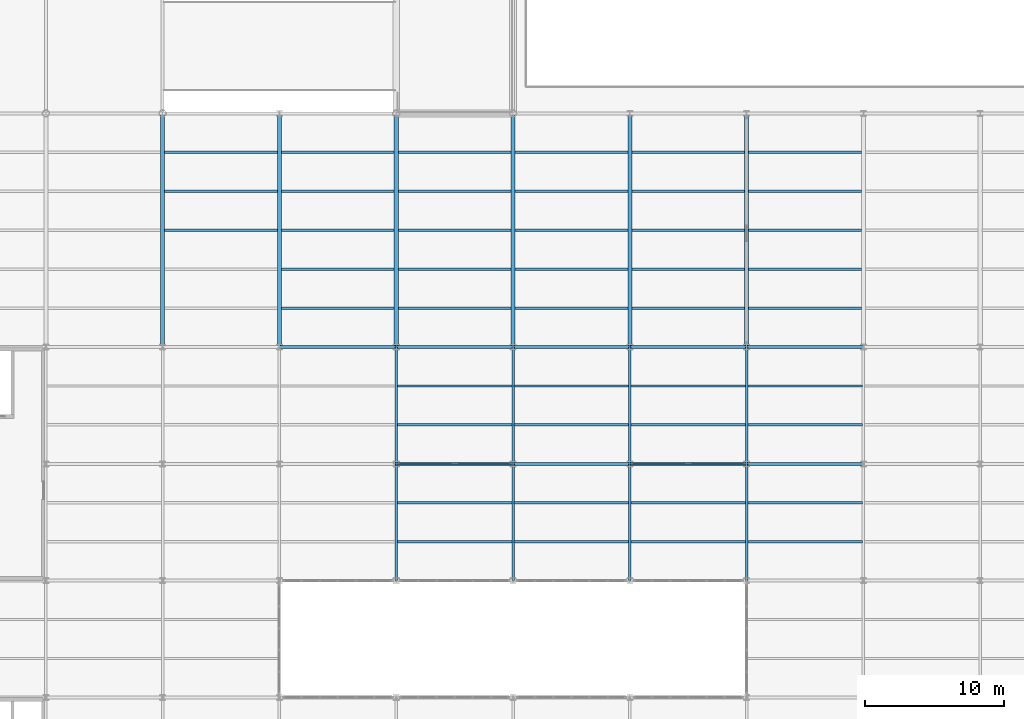
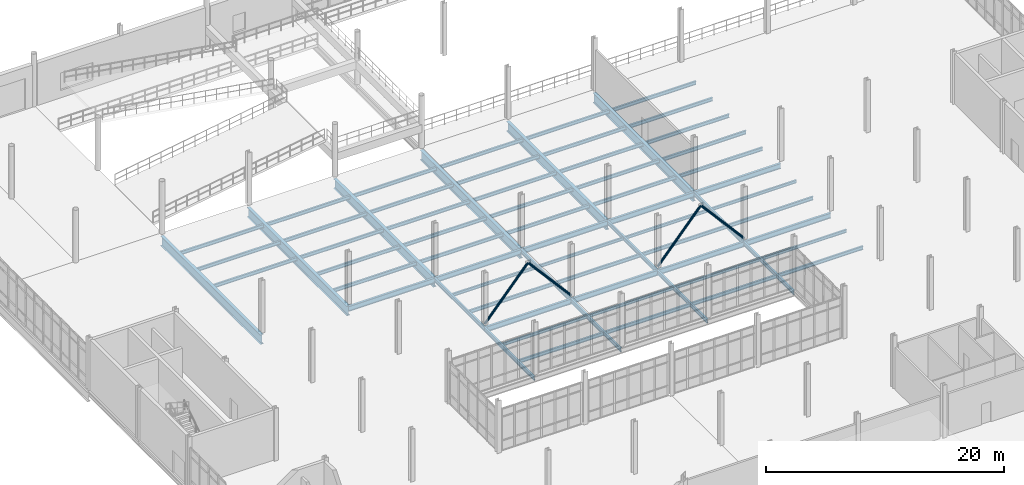
# One storey, part 48 of 111: 67 beams, 4 members.
"""IFC4 building model written with IfcOpenShell, lengths in metres."""

from ifc_helpers import new_model, si_unit, direction, frame, origin, origin_2d, place, context, subcontext, project, spatial, hollow_circle, i_section, extrude, material, material_profile, profile_set, type_object, element, save


model = new_model("IFC4")

# Units and contexts
model_context = context("Model", 3, precision=1e-05, world=origin(), true_north=direction((0.0, 1.0)))
body_context = subcontext(model_context, "Body", "Model", "MODEL_VIEW")
ifc_project = project(units=[si_unit("LENGTHUNIT", "METRE"), si_unit("AREAUNIT", "SQUARE_METRE"), si_unit("VOLUMEUNIT", "CUBIC_METRE"), si_unit("PLANEANGLEUNIT", "RADIAN"), si_unit("MASSUNIT", "GRAM", prefix="KILO"), si_unit("THERMODYNAMICTEMPERATUREUNIT", "KELVIN"), si_unit("POWERUNIT", "WATT")], contexts=[model_context])

# Site, building, storey
site_placement = place(None, origin())
site = spatial("IfcSite", under=ifc_project, at=site_placement, CompositionType="ELEMENT")
building_placement = place(site_placement, origin())
building = spatial("IfcBuilding", under=site, at=building_placement, Name="Tembeka Court Mobility Hub", CompositionType="ELEMENT")
storey_placement = place(building_placement, origin())
storey = spatial("IfcBuildingStorey", under=building, at=storey_placement, Name="L00", CompositionType="ELEMENT", Elevation=0.0)

# Beams
ifc_material = material(Name="Steel S355", Category="steel")
ifc_material_profile_1 = material_profile(ifc_material, i_section(OverallWidth=0.177978515625, OverallDepth=0.406005859375, WebThickness=0.0078125, FlangeThickness=0.0126953125, FilletRadius=0.01025390625, at=origin_2d()), Name="UKB 406x178x60")
ifc_profile_set_1 = profile_set([ifc_material_profile_1], Name="Steel S355")
beam_type_1 = type_object("IfcBeamType", Name="BM-B02", PredefinedType="BEAM", material=ifc_profile_set_1)
for number, where, z_axis, x_axis, name in (
    (1, (33.60009765625, 63.60009765625, -0.48291015625), (0.0, 1.0, 0.0), (-1.0, 0.0, 0.0), "Beam B02 (BM-L00-Y0207)"),
    (2, (33.60009765625, 72.0, -0.48291015625), (0.0, 1.0, 0.0), (-1.0, 0.0, 0.0), "Beam B02 (BM-L00-Y0208)"),
    (3, (42.0, 63.60009765625, -0.48291015625), (0.0, 1.0, 0.0), (-1.0, 0.0, 0.0), "Beam B02 (BM-L00-Y0215)"),
    (4, (42.0, 72.0, -0.48291015625), (0.0, 1.0, 0.0), (-1.0, 0.0, 0.0), "Beam B02 (BM-L00-Y0216)"),
    (5, (50.39990234375, 63.60009765625, -0.48291015625), (0.0, 1.0, 0.0), (-1.0, 0.0, 0.0), "Beam B02 (BM-L00-Y0223)"),
    (6, (50.39990234375, 72.0, -0.48291015625), (0.0, 1.0, 0.0), (-1.0, 0.0, 0.0), "Beam B02 (BM-L00-Y0224)"),
    (7, (58.800048828125, 63.60009765625, -0.48291015625), (0.0, 1.0, 0.0), (-1.0, 0.0, 0.0), "Beam B02 (BM-L00-Y0230)"),
    (8, (58.800048828125, 72.0, -0.48291015625), (0.0, 1.0, 0.0), (-1.0, 0.0, 0.0), "Beam B02 (BM-L00-Y0231)"),
):
    element("IfcBeam", number, at=place(storey_placement, frame(where, z_axis=z_axis, x_axis=x_axis)), inside=storey, type_object=beam_type_1, Name=name, PredefinedType="BEAM", context=body_context, shape_type="SweptSolid", body=[
        extrude(i_section(OverallWidth=0.177978515625, OverallDepth=0.406005859375, WebThickness=0.0078125, FlangeThickness=0.0126953125, FilletRadius=0.01025390625, at=origin_2d()), origin(), (0.0, 0.0, 1.0), 8.39990234375),
    ])
ifc_material_profile_2 = material_profile(ifc_material, i_section(OverallWidth=0.2099609375, OverallDepth=0.537109375, WebThickness=0.0107421875, FlangeThickness=0.017333984375, FilletRadius=0.0126953125, at=origin_2d()), Name="UKB 533x210x101")
ifc_profile_set_2 = profile_set([ifc_material_profile_2], Name="Steel S355")
beam_type_2 = type_object("IfcBeamType", Name="BM-G03", PredefinedType="USERDEFINED", material=ifc_profile_set_2)
for number, where, z_axis, x_axis, name in (
    (9, (33.60009765625, 72.0, -0.548583984375), (1.0, 0.0, 0.0), (0.0, 1.0, 0.0), "Beam G03 (BM-L00-X0110)"),
    (10, (42.0, 72.0, -0.548583984375), (1.0, 0.0, 0.0), (0.0, 1.0, 0.0), "Beam G03 (BM-L00-X0111)"),
):
    element("IfcBeam", number, at=place(storey_placement, frame(where, z_axis=z_axis, x_axis=x_axis)), inside=storey, type_object=beam_type_2, Name=name, ObjectType="GIRDER", PredefinedType="USERDEFINED", context=body_context, shape_type="SweptSolid", body=[
        extrude(i_section(OverallWidth=0.2099609375, OverallDepth=0.537109375, WebThickness=0.0107421875, FlangeThickness=0.017333984375, FilletRadius=0.0126953125, at=origin_2d()), origin(), (0.0, 0.0, 1.0), 8.39990234375),
    ])
beam_1_placement = place(storey_placement, frame((50.39990234375, 72.0, -0.548583984375), z_axis=(1.0, 0.0, 0.0), x_axis=(0.0, 1.0, 0.0)))
element("IfcBeam", 11, at=beam_1_placement, inside=storey, type_object=beam_type_2, Name="Beam G03 (BM-L00-X0112)", ObjectType="GIRDER", PredefinedType="USERDEFINED", context=body_context, shape_type="SweptSolid", body=[
    extrude(i_section(OverallWidth=0.2099609375, OverallDepth=0.537109375, WebThickness=0.0107421875, FlangeThickness=0.017333984375, FilletRadius=0.0126953125, at=origin_2d()), origin(), (0.0, 0.0, 1.0), 8.400146484375),
])
beam_2_placement = place(storey_placement, frame((58.800048828125, 72.0, -0.548583984375), z_axis=(1.0, 0.0, 0.0), x_axis=(0.0, 1.0, 0.0)))
element("IfcBeam", 12, at=beam_2_placement, inside=storey, type_object=beam_type_2, Name="Beam G03 (BM-L00-X0113)", ObjectType="GIRDER", PredefinedType="USERDEFINED", context=body_context, shape_type="SweptSolid", body=[
    extrude(i_section(OverallWidth=0.2099609375, OverallDepth=0.537109375, WebThickness=0.0107421875, FlangeThickness=0.017333984375, FilletRadius=0.0126953125, at=origin_2d()), origin(), (0.0, 0.0, 1.0), 8.39990234375),
])
beam_3_placement = place(storey_placement, frame((25.199951171875, 80.39990234375, -0.548583984375), z_axis=(1.0, 0.0, 0.0), x_axis=(0.0, 1.0, 0.0)))
element("IfcBeam", 13, at=beam_3_placement, inside=storey, type_object=beam_type_2, Name="Beam G03 (BM-L00-X0123)", ObjectType="GIRDER", PredefinedType="USERDEFINED", context=body_context, shape_type="SweptSolid", body=[
    extrude(i_section(OverallWidth=0.2099609375, OverallDepth=0.537109375, WebThickness=0.0107421875, FlangeThickness=0.017333984375, FilletRadius=0.0126953125, at=origin_2d()), origin(), (0.0, 0.0, 1.0), 8.400146484375),
])
for number, where, z_axis, x_axis, name in (
    (14, (33.60009765625, 80.39990234375, -0.548583984375), (1.0, 0.0, 0.0), (0.0, 1.0, 0.0), "Beam G03 (BM-L00-X0124)"),
    (15, (42.0, 80.39990234375, -0.548583984375), (1.0, 0.0, 0.0), (0.0, 1.0, 0.0), "Beam G03 (BM-L00-X0125)"),
):
    element("IfcBeam", number, at=place(storey_placement, frame(where, z_axis=z_axis, x_axis=x_axis)), inside=storey, type_object=beam_type_2, Name=name, ObjectType="GIRDER", PredefinedType="USERDEFINED", context=body_context, shape_type="SweptSolid", body=[
        extrude(i_section(OverallWidth=0.2099609375, OverallDepth=0.537109375, WebThickness=0.0107421875, FlangeThickness=0.017333984375, FilletRadius=0.0126953125, at=origin_2d()), origin(), (0.0, 0.0, 1.0), 8.39990234375),
    ])
beam_4_placement = place(storey_placement, frame((50.39990234375, 80.39990234375, -0.548583984375), z_axis=(1.0, 0.0, 0.0), x_axis=(0.0, 1.0, 0.0)))
element("IfcBeam", 16, at=beam_4_placement, inside=storey, type_object=beam_type_2, Name="Beam G03 (BM-L00-X0126)", ObjectType="GIRDER", PredefinedType="USERDEFINED", context=body_context, shape_type="SweptSolid", body=[
    extrude(i_section(OverallWidth=0.2099609375, OverallDepth=0.537109375, WebThickness=0.0107421875, FlangeThickness=0.017333984375, FilletRadius=0.0126953125, at=origin_2d()), origin(), (0.0, 0.0, 1.0), 8.400146484375),
])
beam_5_placement = place(storey_placement, frame((58.800048828125, 80.39990234375, -0.548583984375), z_axis=(1.0, 0.0, 0.0), x_axis=(0.0, 1.0, 0.0)))
element("IfcBeam", 17, at=beam_5_placement, inside=storey, type_object=beam_type_2, Name="Beam G03 (BM-L00-X0127)", ObjectType="GIRDER", PredefinedType="USERDEFINED", context=body_context, shape_type="SweptSolid", body=[
    extrude(i_section(OverallWidth=0.2099609375, OverallDepth=0.537109375, WebThickness=0.0107421875, FlangeThickness=0.017333984375, FilletRadius=0.0126953125, at=origin_2d()), origin(), (0.0, 0.0, 1.0), 8.39990234375),
])
ifc_material_profile_3 = material_profile(ifc_material, i_section(OverallWidth=0.172119140625, OverallDepth=0.35498046875, WebThickness=0.00732421875, FlangeThickness=0.011474609375, FilletRadius=0.01025390625, at=origin_2d()), Name="UKB 356x171x51")
ifc_profile_set_3 = profile_set([ifc_material_profile_3], Name="Steel S355")
beam_type_3 = type_object("IfcBeamType", Name="BM-J01", PredefinedType="JOIST", material=ifc_profile_set_3)
for number, where, z_axis, x_axis, name in (
    (18, (16.945068359375, 88.800048828125, -0.45751953125), (1.0, 0.0, 0.0), (0.0, 1.0, 0.0), "Beam J01 (JST-L00-0375)"),
    (19, (16.945068359375, 91.60009765625, -0.45751953125), (1.0, 0.0, 0.0), (0.0, 1.0, 0.0), "Beam J01 (JST-L00-0376)"),
    (20, (16.945068359375, 94.39990234375, -0.45751953125), (1.0, 0.0, 0.0), (0.0, 1.0, 0.0), "Beam J01 (JST-L00-0377)"),
):
    element("IfcBeam", number, at=place(storey_placement, frame(where, z_axis=z_axis, x_axis=x_axis)), inside=storey, type_object=beam_type_3, Name=name, PredefinedType="JOIST", context=body_context, shape_type="SweptSolid", body=[
        extrude(i_section(OverallWidth=0.172119140625, OverallDepth=0.35498046875, WebThickness=0.00732421875, FlangeThickness=0.011474609375, FilletRadius=0.01025390625, at=origin_2d()), origin(), (0.0, 0.0, 1.0), 8.10986328125),
    ])
for number, where, z_axis, x_axis, name in (
    (21, (25.344970703125, 83.199951171875, -0.45751953125), (1.0, 0.0, 0.0), (0.0, 1.0, 0.0), "Beam J01 (JST-L00-0391)"),
    (22, (25.344970703125, 86.0, -0.45751953125), (1.0, 0.0, 0.0), (0.0, 1.0, 0.0), "Beam J01 (JST-L00-0392)"),
    (23, (25.344970703125, 88.800048828125, -0.45751953125), (1.0, 0.0, 0.0), (0.0, 1.0, 0.0), "Beam J01 (JST-L00-0393)"),
    (24, (25.344970703125, 91.60009765625, -0.45751953125), (1.0, 0.0, 0.0), (0.0, 1.0, 0.0), "Beam J01 (JST-L00-0394)"),
    (25, (25.344970703125, 94.39990234375, -0.45751953125), (1.0, 0.0, 0.0), (0.0, 1.0, 0.0), "Beam J01 (JST-L00-0395)"),
):
    element("IfcBeam", number, at=place(storey_placement, frame(where, z_axis=z_axis, x_axis=x_axis)), inside=storey, type_object=beam_type_3, Name=name, PredefinedType="JOIST", context=body_context, shape_type="SweptSolid", body=[
        extrude(i_section(OverallWidth=0.172119140625, OverallDepth=0.35498046875, WebThickness=0.00732421875, FlangeThickness=0.011474609375, FilletRadius=0.01025390625, at=origin_2d()), origin(), (0.0, 0.0, 1.0), 8.110107421875),
    ])
for number, where, z_axis, x_axis, name in (
    (26, (33.7451171875, 83.199951171875, -0.45751953125), (1.0, 0.0, 0.0), (0.0, 1.0, 0.0), "Beam J01 (JST-L00-0409)"),
    (27, (33.7451171875, 86.0, -0.45751953125), (1.0, 0.0, 0.0), (0.0, 1.0, 0.0), "Beam J01 (JST-L00-0410)"),
    (28, (33.7451171875, 88.800048828125, -0.45751953125), (1.0, 0.0, 0.0), (0.0, 1.0, 0.0), "Beam J01 (JST-L00-0411)"),
    (29, (33.7451171875, 91.60009765625, -0.45751953125), (1.0, 0.0, 0.0), (0.0, 1.0, 0.0), "Beam J01 (JST-L00-0412)"),
    (30, (33.7451171875, 94.39990234375, -0.45751953125), (1.0, 0.0, 0.0), (0.0, 1.0, 0.0), "Beam J01 (JST-L00-0413)"),
    (31, (42.14501953125, 83.199951171875, -0.45751953125), (1.0, 0.0, 0.0), (0.0, 1.0, 0.0), "Beam J01 (JST-L00-0427)"),
    (32, (42.14501953125, 86.0, -0.45751953125), (1.0, 0.0, 0.0), (0.0, 1.0, 0.0), "Beam J01 (JST-L00-0428)"),
    (33, (42.14501953125, 88.800048828125, -0.45751953125), (1.0, 0.0, 0.0), (0.0, 1.0, 0.0), "Beam J01 (JST-L00-0429)"),
    (34, (42.14501953125, 91.60009765625, -0.45751953125), (1.0, 0.0, 0.0), (0.0, 1.0, 0.0), "Beam J01 (JST-L00-0430)"),
    (35, (42.14501953125, 94.39990234375, -0.45751953125), (1.0, 0.0, 0.0), (0.0, 1.0, 0.0), "Beam J01 (JST-L00-0431)"),
):
    element("IfcBeam", number, at=place(storey_placement, frame(where, z_axis=z_axis, x_axis=x_axis)), inside=storey, type_object=beam_type_3, Name=name, PredefinedType="JOIST", context=body_context, shape_type="SweptSolid", body=[
        extrude(i_section(OverallWidth=0.172119140625, OverallDepth=0.35498046875, WebThickness=0.00732421875, FlangeThickness=0.011474609375, FilletRadius=0.01025390625, at=origin_2d()), origin(), (0.0, 0.0, 1.0), 8.10986328125),
    ])
for number, where, z_axis, x_axis, name in (
    (36, (50.544921875, 83.199951171875, -0.45751953125), (1.0, 0.0, 0.0), (0.0, 1.0, 0.0), "Beam J01 (JST-L00-0445)"),
    (37, (50.544921875, 86.0, -0.45751953125), (1.0, 0.0, 0.0), (0.0, 1.0, 0.0), "Beam J01 (JST-L00-0446)"),
    (38, (50.544921875, 88.800048828125, -0.45751953125), (1.0, 0.0, 0.0), (0.0, 1.0, 0.0), "Beam J01 (JST-L00-0447)"),
    (39, (50.544921875, 91.60009765625, -0.45751953125), (1.0, 0.0, 0.0), (0.0, 1.0, 0.0), "Beam J01 (JST-L00-0448)"),
    (40, (50.544921875, 94.39990234375, -0.45751953125), (1.0, 0.0, 0.0), (0.0, 1.0, 0.0), "Beam J01 (JST-L00-0449)"),
):
    element("IfcBeam", number, at=place(storey_placement, frame(where, z_axis=z_axis, x_axis=x_axis)), inside=storey, type_object=beam_type_3, Name=name, PredefinedType="JOIST", context=body_context, shape_type="SweptSolid", body=[
        extrude(i_section(OverallWidth=0.172119140625, OverallDepth=0.35498046875, WebThickness=0.00732421875, FlangeThickness=0.011474609375, FilletRadius=0.01025390625, at=origin_2d()), origin(), (0.0, 0.0, 1.0), 8.110107421875),
    ])
for number, where, z_axis, x_axis, name in (
    (41, (58.945068359375, 83.199951171875, -0.45751953125), (1.0, 0.0, 0.0), (0.0, 1.0, 0.0), "Beam J01 (JST-L00-0465)"),
    (42, (58.945068359375, 86.0, -0.45751953125), (1.0, 0.0, 0.0), (0.0, 1.0, 0.0), "Beam J01 (JST-L00-0466)"),
    (43, (58.945068359375, 88.800048828125, -0.45751953125), (1.0, 0.0, 0.0), (0.0, 1.0, 0.0), "Beam J01 (JST-L00-0467)"),
    (44, (58.945068359375, 91.60009765625, -0.45751953125), (1.0, 0.0, 0.0), (0.0, 1.0, 0.0), "Beam J01 (JST-L00-0468)"),
    (45, (58.945068359375, 94.39990234375, -0.45751953125), (1.0, 0.0, 0.0), (0.0, 1.0, 0.0), "Beam J01 (JST-L00-0469)"),
):
    element("IfcBeam", number, at=place(storey_placement, frame(where, z_axis=z_axis, x_axis=x_axis)), inside=storey, type_object=beam_type_3, Name=name, PredefinedType="JOIST", context=body_context, shape_type="SweptSolid", body=[
        extrude(i_section(OverallWidth=0.172119140625, OverallDepth=0.35498046875, WebThickness=0.00732421875, FlangeThickness=0.011474609375, FilletRadius=0.01025390625, at=origin_2d()), origin(), (0.0, 0.0, 1.0), 8.10986328125),
    ])
ifc_material_profile_4 = material_profile(ifc_material, i_section(OverallWidth=0.1650390625, OverallDepth=0.303955078125, WebThickness=0.006103515625, FlangeThickness=0.01025390625, FilletRadius=0.0087890625, at=origin_2d()), Name="UKB 305x165x40")
ifc_profile_set_4 = profile_set([ifc_material_profile_4], Name="Steel S355")
beam_type_4 = type_object("IfcBeamType", Name="BM-J02", PredefinedType="JOIST", material=ifc_profile_set_4)
for number, where, z_axis, x_axis, name in (
    (46, (33.68408203125, 69.199951171875, -0.431884765625), (1.0, 0.0, 0.0), (0.0, 1.0, 0.0), "Beam J02 (JST-L00-0406)"),
    (47, (33.68408203125, 77.60009765625, -0.431884765625), (1.0, 0.0, 0.0), (0.0, 1.0, 0.0), "Beam J02 (JST-L00-0408)"),
    (48, (42.083984375, 69.199951171875, -0.431884765625), (1.0, 0.0, 0.0), (0.0, 1.0, 0.0), "Beam J02 (JST-L00-0424)"),
    (49, (42.083984375, 77.60009765625, -0.431884765625), (1.0, 0.0, 0.0), (0.0, 1.0, 0.0), "Beam J02 (JST-L00-0426)"),
):
    element("IfcBeam", number, at=place(storey_placement, frame(where, z_axis=z_axis, x_axis=x_axis)), inside=storey, type_object=beam_type_4, Name=name, PredefinedType="JOIST", context=body_context, shape_type="SweptSolid", body=[
        extrude(i_section(OverallWidth=0.1650390625, OverallDepth=0.303955078125, WebThickness=0.006103515625, FlangeThickness=0.01025390625, FilletRadius=0.0087890625, at=origin_2d()), origin(), (0.0, 0.0, 1.0), 8.23193359375),
    ])
for number, where, z_axis, x_axis, name in (
    (50, (50.48388671875, 69.199951171875, -0.431884765625), (1.0, 0.0, 0.0), (0.0, 1.0, 0.0), "Beam J02 (JST-L00-0442)"),
    (51, (50.48388671875, 77.60009765625, -0.431884765625), (1.0, 0.0, 0.0), (0.0, 1.0, 0.0), "Beam J02 (JST-L00-0444)"),
):
    element("IfcBeam", number, at=place(storey_placement, frame(where, z_axis=z_axis, x_axis=x_axis)), inside=storey, type_object=beam_type_4, Name=name, PredefinedType="JOIST", context=body_context, shape_type="SweptSolid", body=[
        extrude(i_section(OverallWidth=0.1650390625, OverallDepth=0.303955078125, WebThickness=0.006103515625, FlangeThickness=0.01025390625, FilletRadius=0.0087890625, at=origin_2d()), origin(), (0.0, 0.0, 1.0), 8.232177734375),
    ])
for number, where, z_axis, x_axis, name in (
    (52, (58.884033203125, 69.199951171875, -0.431884765625), (1.0, 0.0, 0.0), (0.0, 1.0, 0.0), "Beam J02 (JST-L00-0462)"),
    (53, (58.884033203125, 77.60009765625, -0.431884765625), (1.0, 0.0, 0.0), (0.0, 1.0, 0.0), "Beam J02 (JST-L00-0464)"),
):
    element("IfcBeam", number, at=place(storey_placement, frame(where, z_axis=z_axis, x_axis=x_axis)), inside=storey, type_object=beam_type_4, Name=name, PredefinedType="JOIST", context=body_context, shape_type="SweptSolid", body=[
        extrude(i_section(OverallWidth=0.1650390625, OverallDepth=0.303955078125, WebThickness=0.006103515625, FlangeThickness=0.01025390625, FilletRadius=0.0087890625, at=origin_2d()), origin(), (0.0, 0.0, 1.0), 8.23193359375),
    ])
ifc_material_profile_5 = material_profile(ifc_material, i_section(OverallWidth=0.169921875, OverallDepth=0.360107421875, WebThickness=0.008056640625, FlangeThickness=0.0126953125, FilletRadius=0.01806640625, at=origin_2d()), Name="IPE 360")
ifc_profile_set_5 = profile_set([ifc_material_profile_5], Name="Steel S355")
beam_type_5 = type_object("IfcBeamType", Name="BM-J03", PredefinedType="JOIST", material=ifc_profile_set_5)
for number, where, z_axis, x_axis, name in (
    (54, (33.68408203125, 66.39990234375, -0.4599609375), (1.0, 0.0, 0.0), (0.0, 1.0, 0.0), "Beam J03 (JST-L00-0405)"),
    (55, (33.68408203125, 74.800048828125, -0.4599609375), (1.0, 0.0, 0.0), (0.0, 1.0, 0.0), "Beam J03 (JST-L00-0407)"),
    (56, (42.083984375, 66.39990234375, -0.4599609375), (1.0, 0.0, 0.0), (0.0, 1.0, 0.0), "Beam J03 (JST-L00-0423)"),
    (57, (42.083984375, 74.800048828125, -0.4599609375), (1.0, 0.0, 0.0), (0.0, 1.0, 0.0), "Beam J03 (JST-L00-0425)"),
):
    element("IfcBeam", number, at=place(storey_placement, frame(where, z_axis=z_axis, x_axis=x_axis)), inside=storey, type_object=beam_type_5, Name=name, PredefinedType="JOIST", context=body_context, shape_type="SweptSolid", body=[
        extrude(i_section(OverallWidth=0.169921875, OverallDepth=0.360107421875, WebThickness=0.008056640625, FlangeThickness=0.0126953125, FilletRadius=0.01806640625, at=origin_2d()), origin(), (0.0, 0.0, 1.0), 8.23193359375),
    ])
for number, where, z_axis, x_axis, name in (
    (58, (50.48388671875, 66.39990234375, -0.4599609375), (1.0, 0.0, 0.0), (0.0, 1.0, 0.0), "Beam J03 (JST-L00-0441)"),
    (59, (50.48388671875, 74.800048828125, -0.4599609375), (1.0, 0.0, 0.0), (0.0, 1.0, 0.0), "Beam J03 (JST-L00-0443)"),
):
    element("IfcBeam", number, at=place(storey_placement, frame(where, z_axis=z_axis, x_axis=x_axis)), inside=storey, type_object=beam_type_5, Name=name, PredefinedType="JOIST", context=body_context, shape_type="SweptSolid", body=[
        extrude(i_section(OverallWidth=0.169921875, OverallDepth=0.360107421875, WebThickness=0.008056640625, FlangeThickness=0.0126953125, FilletRadius=0.01806640625, at=origin_2d()), origin(), (0.0, 0.0, 1.0), 8.232177734375),
    ])
for number, where, z_axis, x_axis, name in (
    (60, (58.884033203125, 66.39990234375, -0.4599609375), (1.0, 0.0, 0.0), (0.0, 1.0, 0.0), "Beam J03 (JST-L00-0461)"),
    (61, (58.884033203125, 74.800048828125, -0.4599609375), (1.0, 0.0, 0.0), (0.0, 1.0, 0.0), "Beam J03 (JST-L00-0463)"),
):
    element("IfcBeam", number, at=place(storey_placement, frame(where, z_axis=z_axis, x_axis=x_axis)), inside=storey, type_object=beam_type_5, Name=name, PredefinedType="JOIST", context=body_context, shape_type="SweptSolid", body=[
        extrude(i_section(OverallWidth=0.169921875, OverallDepth=0.360107421875, WebThickness=0.008056640625, FlangeThickness=0.0126953125, FilletRadius=0.01806640625, at=origin_2d()), origin(), (0.0, 0.0, 1.0), 8.23193359375),
    ])
ifc_material_profile_6 = material_profile(ifc_material, i_section(OverallWidth=0.300048828125, OverallDepth=1.0, WebThickness=0.01904296875, FlangeThickness=0.035888671875, FilletRadius=0.030029296875, at=origin_2d()), Name="HEB 1000")
ifc_profile_set_6 = profile_set([ifc_material_profile_6], Name="Steel S355")
beam_type_6 = type_object("IfcBeamType", Name="BM-TG01", PredefinedType="USERDEFINED", material=ifc_profile_set_6)
for number, where, z_axis, x_axis, name in (
    (62, (16.800048828125, 80.39990234375, -0.780029296875), (0.0, 1.0, 0.0), (-1.0, 0.0, 0.0), "Beam TG01 (BM-L00-Y0194)"),
    (63, (25.199951171875, 80.39990234375, -0.780029296875), (0.0, 1.0, 0.0), (-1.0, 0.0, 0.0), "Beam TG01 (BM-L00-Y0203)"),
    (64, (33.60009765625, 80.39990234375, -0.780029296875), (0.0, 1.0, 0.0), (-1.0, 0.0, 0.0), "Beam TG01 (BM-L00-Y0209)"),
    (65, (42.0, 80.39990234375, -0.780029296875), (0.0, 1.0, 0.0), (-1.0, 0.0, 0.0), "Beam TG01 (BM-L00-Y0217)"),
    (66, (50.39990234375, 80.39990234375, -0.780029296875), (0.0, 1.0, 0.0), (-1.0, 0.0, 0.0), "Beam TG01 (BM-L00-Y0225)"),
    (67, (58.800048828125, 80.39990234375, -0.780029296875), (0.0, 1.0, 0.0), (-1.0, 0.0, 0.0), "Beam TG01 (BM-L00-Y0232)"),
):
    element("IfcBeam", number, at=place(storey_placement, frame(where, z_axis=z_axis, x_axis=x_axis)), inside=storey, type_object=beam_type_6, Name=name, ObjectType="GIRDER", PredefinedType="USERDEFINED", context=body_context, shape_type="SweptSolid", body=[
        extrude(i_section(OverallWidth=0.300048828125, OverallDepth=1.0, WebThickness=0.01904296875, FlangeThickness=0.035888671875, FilletRadius=0.030029296875, at=origin_2d()), origin(), (0.0, 0.0, 1.0), 16.800048828125),
    ])

# Members
ifc_material_profile_7 = material_profile(ifc_material, hollow_circle(Radius=0.109619140625, WallThickness=0.010009765625, at=origin_2d()), Name="CHS 219.1x10")
ifc_profile_set_7 = profile_set([ifc_material_profile_7], Name="Steel S355")
member_type = type_object("IfcMemberType", Name="MEM-BR01", PredefinedType="BRACE", material=ifc_profile_set_7)
for number, where, z_axis, x_axis, name in (
    (68, (33.60009765625, 72.0, 0.02001953125), (0.656168327247, 0.0, 0.754614554801), (0.0, 1.0, 0.0), "Steel chevron brace BR01 (L00-1A)"),
    (69, (42.0, 72.0, 0.02001953125), (-0.656168327247, 0.0, 0.754614554801), (0.0, -1.0, 0.0), "Steel chevron brace BR01 (L00-1B)"),
):
    element("IfcMember", number, at=place(storey_placement, frame(where, z_axis=z_axis, x_axis=x_axis)), inside=storey, type_object=member_type, Name=name, PredefinedType="BRACE", context=body_context, shape_type="SweptSolid", body=[
        extrude(hollow_circle(Radius=0.109619140625, WallThickness=0.010009765625, at=origin_2d()), origin(), (0.0, 0.0, 1.0), 6.400634765625),
    ])
member_1_placement = place(storey_placement, frame((50.39990234375, 72.0, 0.02001953125), z_axis=(0.656190046512, 0.0, 0.75459566846), x_axis=(0.0, 1.0, 0.0)))
element("IfcMember", 70, at=member_1_placement, inside=storey, type_object=member_type, Name="Steel chevron brace BR01 (L00-7A)", PredefinedType="BRACE", context=body_context, shape_type="SweptSolid", body=[
    extrude(hollow_circle(Radius=0.109619140625, WallThickness=0.010009765625, at=origin_2d()), origin(), (0.0, 0.0, 1.0), 6.40087890625),
])
member_2_placement = place(storey_placement, frame((58.800048828125, 72.0, 0.02001953125), z_axis=(-0.656168327247, 0.0, 0.754614554801), x_axis=(0.0, -1.0, 0.0)))
element("IfcMember", 71, at=member_2_placement, inside=storey, type_object=member_type, Name="Steel chevron brace BR01 (L00-7B)", PredefinedType="BRACE", context=body_context, shape_type="SweptSolid", body=[
    extrude(hollow_circle(Radius=0.109619140625, WallThickness=0.010009765625, at=origin_2d()), origin(), (0.0, 0.0, 1.0), 6.400634765625),
])

save(model, "model.ifc")
